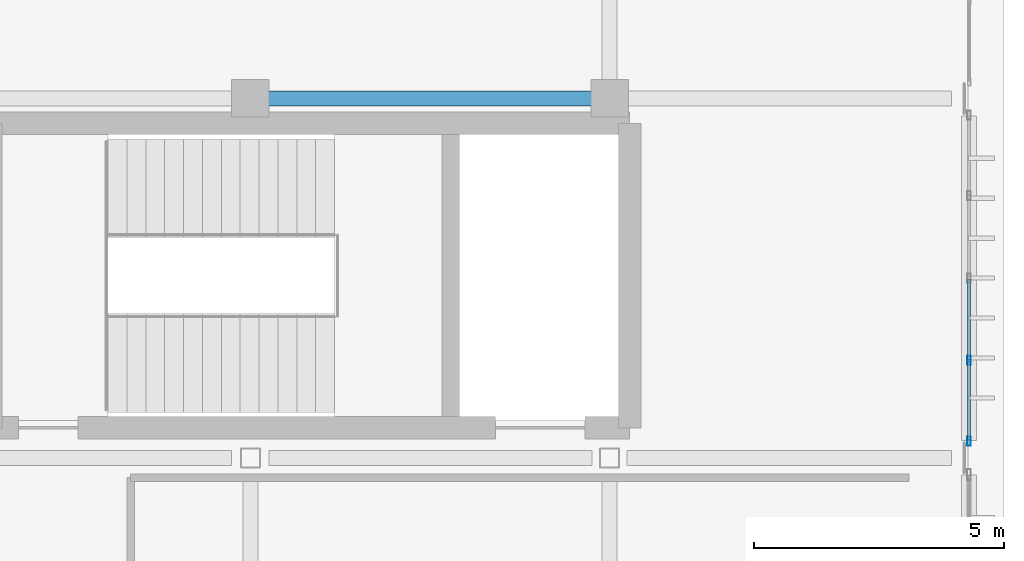
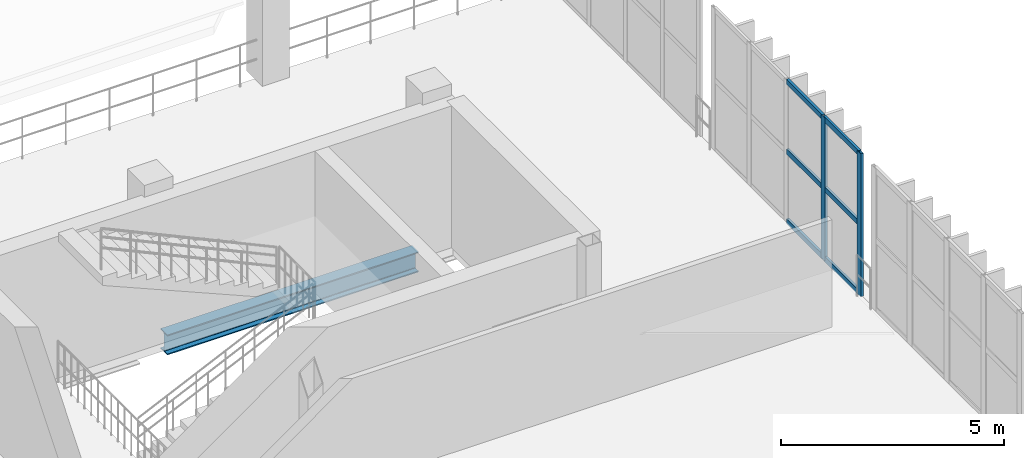
# One storey, part 81 of 130: 8 members, 1 beam, 1 element without a shape of its own.
"""IFC4 building model written with IfcOpenShell, lengths in metres."""

from ifc_helpers import new_model, si_unit, direction, frame, origin, origin_2d, place, context, subcontext, project, spatial, hollow_rectangle, i_section, extrude, material, material_profile, profile_set, type_object, element, aggregate, save


model = new_model("IFC4")

# Units and contexts
model_context = context("Model", 3, precision=1e-05, world=origin(), true_north=direction((0.0, 1.0)))
body_context = subcontext(model_context, "Body", "Model", "MODEL_VIEW")
ifc_project = project(units=[si_unit("LENGTHUNIT", "METRE"), si_unit("AREAUNIT", "SQUARE_METRE"), si_unit("VOLUMEUNIT", "CUBIC_METRE"), si_unit("PLANEANGLEUNIT", "RADIAN"), si_unit("MASSUNIT", "GRAM", prefix="KILO")], contexts=[model_context])

# Site, building, storey
site_placement = place(None, origin())
site = spatial("IfcSite", under=ifc_project, at=site_placement, CompositionType="ELEMENT")
building_placement = place(site_placement, origin())
building = spatial("IfcBuilding", under=site, at=building_placement, Name="Qandorah Velis Arena", CompositionType="ELEMENT")
storey_placement = place(building_placement, frame((0.0, 0.0, 9.60009765625)))
storey = spatial("IfcBuildingStorey", under=building, at=storey_placement, Name="L02", CompositionType="ELEMENT", Elevation=9.60009765625)

# Curtain wall, members
ifc_material_1 = material(Name="Solar-control low-E double glazing", Category="glass")
curtain_wall_type = type_object("IfcCurtainWallType", Name="ARC-CW-SYS06", PredefinedType="USERDEFINED", material=ifc_material_1)
curtain_wall_placement = place(storey_placement, origin())
curtain_wall = element("IfcCurtainWall", 1, at=curtain_wall_placement, inside=storey, type_object=curtain_wall_type, Name="Unitised curtain wall L02-150", ObjectType="UNITISED CURTAIN WALL", PredefinedType="USERDEFINED")
ifc_material_2 = material(Name="Champagne-bronze anodized aluminium 6063-T6", Category="aluminium")
ifc_material_profile_1 = material_profile(ifc_material_2, hollow_rectangle(XDim=0.06494140625, YDim=0.179931640625, WallThickness=0.00341796875, at=origin_2d()), Name="ALU MULLION 65x180")
ifc_profile_set_1 = profile_set([ifc_material_profile_1], Name="Champagne-bronze anodized aluminium 6063-T6")
member_type_1 = type_object("IfcMemberType", Name="ARC-CWM-180", PredefinedType="MULLION", material=ifc_profile_set_1)
member_1_placement = place(storey_placement, frame((172.800048828125, 79.532470703125, -0.01513671875), z_axis=(0.0, 0.0, 1.0), x_axis=(-1.0, 0.0, 0.0)))
member_1 = element("IfcMember", 2, at=member_1_placement, type_object=member_type_1, Name="CW06 mullion 1", PredefinedType="MULLION", context=body_context, shape_type="SweptSolid", body=[
    extrude(hollow_rectangle(XDim=0.06494140625, YDim=0.179931640625, WallThickness=0.00341796875, at=origin_2d()), origin(), (0.0, 0.0, 1.0), 3.91015625),
])
member_2_placement = place(storey_placement, frame((172.800048828125, 81.14990234375, -0.01513671875), z_axis=(0.0, 0.0, 1.0), x_axis=(-1.0, 0.0, 0.0)))
member_2 = element("IfcMember", 3, at=member_2_placement, type_object=member_type_1, Name="CW06 mullion 2", PredefinedType="MULLION", context=body_context, shape_type="SweptSolid", body=[
    extrude(hollow_rectangle(XDim=0.06494140625, YDim=0.179931640625, WallThickness=0.00341796875, at=origin_2d()), origin(), (0.0, 0.0, 1.0), 3.91015625),
])
ifc_material_profile_2 = material_profile(ifc_material_2, hollow_rectangle(XDim=0.06494140625, YDim=0.139892578125, WallThickness=0.0029296875, at=origin_2d()), Name="ALU TRANSOM 65x140")
ifc_profile_set_2 = profile_set([ifc_material_profile_2], Name="Champagne-bronze anodized aluminium 6063-T6")
member_type_2 = type_object("IfcMemberType", Name="ARC-CWT-140", PredefinedType="USERDEFINED", material=ifc_profile_set_2)
member_3_placement = place(storey_placement, frame((172.800048828125, 79.552978515625, 0.032470703125), z_axis=(0.0, 1.0, 0.0), x_axis=(-1.0, 0.0, 0.0)))
member_3 = element("IfcMember", 4, at=member_3_placement, type_object=member_type_2, Name="CW06 transom 1.1", ObjectType="TRANSOM", PredefinedType="USERDEFINED", context=body_context, shape_type="SweptSolid", body=[
    extrude(hollow_rectangle(XDim=0.06494140625, YDim=0.139892578125, WallThickness=0.0029296875, at=origin_2d()), origin(), (0.0, 0.0, 1.0), 1.576416015625),
])
member_4_placement = place(storey_placement, frame((172.800048828125, 79.552978515625, 1.93994140625), z_axis=(0.0, 1.0, 0.0), x_axis=(-1.0, 0.0, 0.0)))
member_4 = element("IfcMember", 5, at=member_4_placement, type_object=member_type_2, Name="CW06 transom 1.2", ObjectType="TRANSOM", PredefinedType="USERDEFINED", context=body_context, shape_type="SweptSolid", body=[
    extrude(hollow_rectangle(XDim=0.06494140625, YDim=0.139892578125, WallThickness=0.0029296875, at=origin_2d()), origin(), (0.0, 0.0, 1.0), 1.576416015625),
])
member_5_placement = place(storey_placement, frame((172.800048828125, 79.552978515625, 3.847412109375), z_axis=(0.0, 1.0, 0.0), x_axis=(-1.0, 0.0, 0.0)))
member_5 = element("IfcMember", 6, at=member_5_placement, type_object=member_type_2, Name="CW06 transom 1.3", ObjectType="TRANSOM", PredefinedType="USERDEFINED", context=body_context, shape_type="SweptSolid", body=[
    extrude(hollow_rectangle(XDim=0.06494140625, YDim=0.139892578125, WallThickness=0.0029296875, at=origin_2d()), origin(), (0.0, 0.0, 1.0), 1.576416015625),
])
member_6_placement = place(storey_placement, frame((172.800048828125, 81.17041015625, 0.032470703125), z_axis=(0.0, 1.0, 0.0), x_axis=(-1.0, 0.0, 0.0)))
member_6 = element("IfcMember", 7, at=member_6_placement, type_object=member_type_2, Name="CW06 transom 2.1", ObjectType="TRANSOM", PredefinedType="USERDEFINED", context=body_context, shape_type="SweptSolid", body=[
    extrude(hollow_rectangle(XDim=0.06494140625, YDim=0.139892578125, WallThickness=0.0029296875, at=origin_2d()), origin(), (0.0, 0.0, 1.0), 1.609130859375),
])
member_7_placement = place(storey_placement, frame((172.800048828125, 81.17041015625, 1.93994140625), z_axis=(0.0, 1.0, 0.0), x_axis=(-1.0, 0.0, 0.0)))
member_7 = element("IfcMember", 8, at=member_7_placement, type_object=member_type_2, Name="CW06 transom 2.2", ObjectType="TRANSOM", PredefinedType="USERDEFINED", context=body_context, shape_type="SweptSolid", body=[
    extrude(hollow_rectangle(XDim=0.06494140625, YDim=0.139892578125, WallThickness=0.0029296875, at=origin_2d()), origin(), (0.0, 0.0, 1.0), 1.609130859375),
])
member_8_placement = place(storey_placement, frame((172.800048828125, 81.17041015625, 3.847412109375), z_axis=(0.0, 1.0, 0.0), x_axis=(-1.0, 0.0, 0.0)))
member_8 = element("IfcMember", 9, at=member_8_placement, type_object=member_type_2, Name="CW06 transom 2.3", ObjectType="TRANSOM", PredefinedType="USERDEFINED", context=body_context, shape_type="SweptSolid", body=[
    extrude(hollow_rectangle(XDim=0.06494140625, YDim=0.139892578125, WallThickness=0.0029296875, at=origin_2d()), origin(), (0.0, 0.0, 1.0), 1.609130859375),
])
aggregate(curtain_wall, [member_1, member_2, member_3, member_4, member_5, member_6, member_7, member_8])

# Beam
ifc_material_3 = material(Name="Steel S355", Category="steel")
ifc_material_profile_3 = material_profile(ifc_material_3, i_section(OverallWidth=0.300048828125, OverallDepth=0.550048828125, WebThickness=0.014892578125, FlangeThickness=0.029052734375, FilletRadius=0.027099609375, at=origin_2d()), Name="HEB 550")
ifc_profile_set_3 = profile_set([ifc_material_profile_3], Name="Steel S355")
beam_type = type_object("IfcBeamType", Name="STR-BM-HEB550", PredefinedType="BEAM", material=ifc_profile_set_3)
beam_placement = place(storey_placement, frame((158.75, 86.39990234375, -0.55517578125), z_axis=(1.0, 0.0, 0.0), x_axis=(0.0, 1.0, 0.0)))
element("IfcBeam", 10, at=beam_placement, inside=storey, type_object=beam_type, Name="Primary floor girder L02 X-115", PredefinedType="BEAM", context=body_context, shape_type="SweptSolid", body=[
    extrude(i_section(OverallWidth=0.300048828125, OverallDepth=0.550048828125, WebThickness=0.014892578125, FlangeThickness=0.029052734375, FilletRadius=0.027099609375, at=origin_2d()), origin(), (0.0, 0.0, 1.0), 6.5),
])

save(model, "model.ifc")
